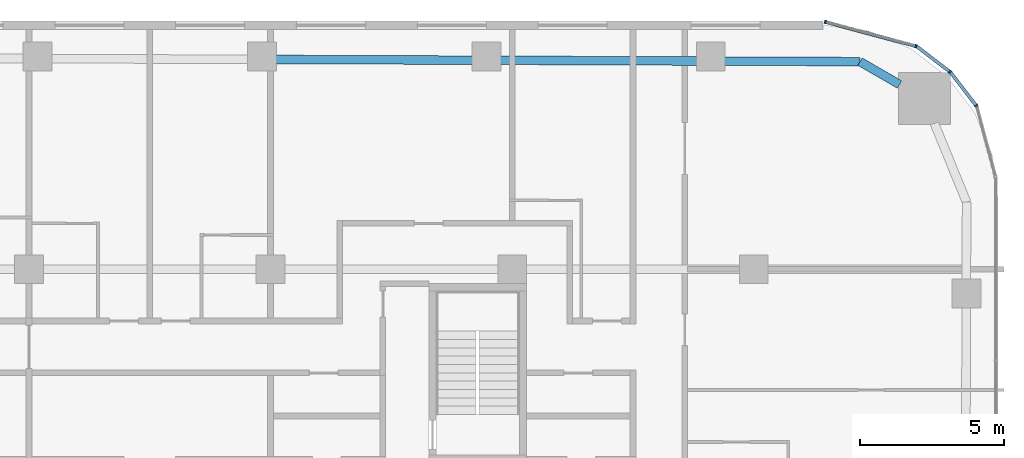
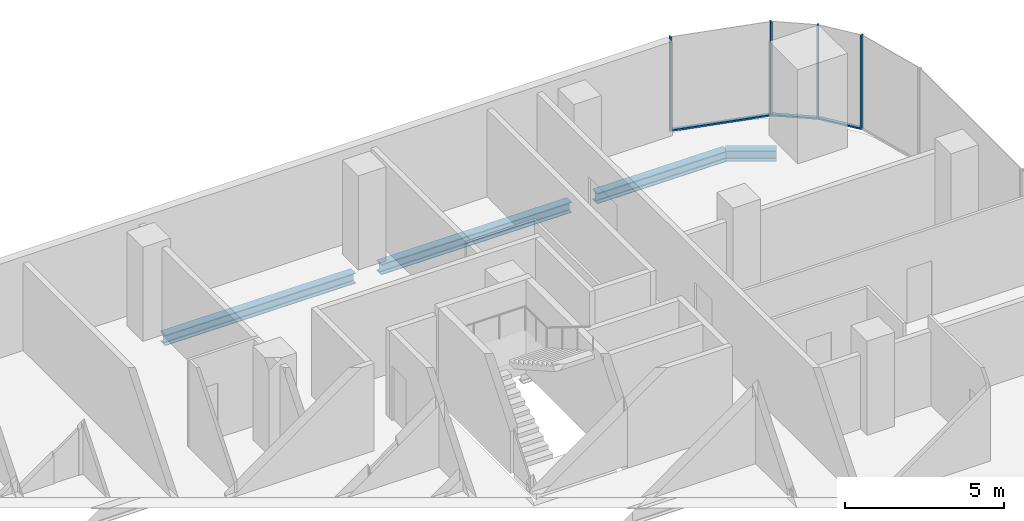
# One storey, part 13 of 26: 7 members, 4 beams, 3 elements without a shape of their own.
"""IFC4 building model written with IfcOpenShell, lengths in metres."""

from ifc_helpers import new_model, si_unit, direction, frame, origin, origin_2d, place, context, subcontext, project, spatial, rectangle, i_section, extrude, material, layer, layer_set, material_profile, profile_set, type_object, element, aggregate, save


model = new_model("IFC4")

# Units and contexts
model_context = context("Model", 3, precision=1e-05, world=origin(), true_north=direction((0.0, 1.0)))
body_context = subcontext(model_context, "Body", "Model", "MODEL_VIEW")
ifc_project = project(units=[si_unit("LENGTHUNIT", "METRE"), si_unit("AREAUNIT", "SQUARE_METRE"), si_unit("VOLUMEUNIT", "CUBIC_METRE"), si_unit("PLANEANGLEUNIT", "RADIAN"), si_unit("MASSUNIT", "GRAM", prefix="KILO")], contexts=[model_context])

# Site, building, storey
site_placement = place(None, origin())
site = spatial("IfcSite", under=ifc_project, at=site_placement, CompositionType="ELEMENT")
building_placement = place(site_placement, origin())
building = spatial("IfcBuilding", under=site, at=building_placement, Name="Marenta Gate Hotel Tower", CompositionType="ELEMENT")
storey_placement = place(building_placement, frame((0.0, 0.0, 72.5)))
storey = spatial("IfcBuildingStorey", under=building, at=storey_placement, Name="L16", CompositionType="ELEMENT", Elevation=72.5)

# Beams
ifc_material_1 = material(Name="Steel S355", Category="steel")
ifc_material_profile_1 = material_profile(ifc_material_1, i_section(OverallWidth=0.300048828125, OverallDepth=0.39990234375, WebThickness=0.013427734375, FlangeThickness=0.02392578125, FilletRadius=0.027099609375, at=origin_2d()), Name="HEB 400")
ifc_profile_set_1 = profile_set([ifc_material_profile_1], Name="Steel S355")
beam_type = type_object("IfcBeamType", Name="Edge beam HEB 400", PredefinedType="SPANDREL", material=ifc_profile_set_1)
for number, where, z_axis, x_axis, name in (
    (1, (4.361328125, 32.4970703125, -0.4599609375), (0.999993064268, -0.003724435008, 0.0), (0.003724435008, 0.999993064268, 0.0), "L16-EB-17"),
    (2, (12.1640625, 32.468017578125, -0.4599609375), (0.999993064268, -0.003724435008, 0.0), (0.003724435008, 0.999993064268, 0.0), "L16-EB-18"),
):
    element("IfcBeam", number, at=place(storey_placement, frame(where, z_axis=z_axis, x_axis=x_axis)), inside=storey, type_object=beam_type, Name=name, PredefinedType="SPANDREL", context=body_context, shape_type="SweptSolid", body=[
        extrude(i_section(OverallWidth=0.300048828125, OverallDepth=0.39990234375, WebThickness=0.013427734375, FlangeThickness=0.02392578125, FilletRadius=0.027099609375, at=origin_2d()), origin(), (0.0, 0.0, 1.0), 6.8828125),
    ])
beam_1_placement = place(storey_placement, frame((19.966796875, 32.43896484375, -0.4599609375), z_axis=(0.999993080272, -0.003720135464, 0.0), x_axis=(0.003720135464, 0.999993080272, 0.0)))
element("IfcBeam", 3, at=beam_1_placement, inside=storey, type_object=beam_type, Name="L16-EB-19", PredefinedType="SPANDREL", context=body_context, shape_type="SweptSolid", body=[
    extrude(i_section(OverallWidth=0.300048828125, OverallDepth=0.39990234375, WebThickness=0.013427734375, FlangeThickness=0.02392578125, FilletRadius=0.027099609375, at=origin_2d()), origin(), (0.0, 0.0, 1.0), 4.72509765625),
])
beam_2_placement = place(storey_placement, frame((24.69189453125, 32.42138671875, -0.4599609375), z_axis=(0.865968422476, -0.500098681536, 0.0), x_axis=(0.500098681536, 0.865968422476, 0.0)))
element("IfcBeam", 4, at=beam_2_placement, inside=storey, type_object=beam_type, Name="L16-EB-20", PredefinedType="SPANDREL", context=body_context, shape_type="SweptSolid", body=[
    extrude(i_section(OverallWidth=0.300048828125, OverallDepth=0.39990234375, WebThickness=0.013427734375, FlangeThickness=0.02392578125, FilletRadius=0.027099609375, at=origin_2d()), origin(), (0.0, 0.0, 1.0), 1.591552734375),
])

# Curtain wall, member
ifc_material_2 = material(Name="Tinted insulated glass in bronze anodised frame", Category="glass")
ifc_layer = layer(ifc_material_2, 0.1201171875)
ifc_layer_set = layer_set([ifc_layer], Name="Tinted insulated glass in bronze anodised frame")
curtain_wall_type = type_object("IfcCurtainWallType", Name="Tower unitised curtain wall CW1", PredefinedType="NOTDEFINED", material=ifc_layer_set)
curtain_wall_1_placement = place(storey_placement, origin())
curtain_wall_1 = element("IfcCurtainWall", 5, at=curtain_wall_1_placement, inside=storey, type_object=curtain_wall_type, Name="CW1 run G13", PredefinedType="NOTDEFINED")
ifc_material_3 = material(Name="Bronze anodised aluminium", Category="aluminium")
ifc_material_profile_2 = material_profile(ifc_material_3, rectangle(XDim=0.1201171875, YDim=0.06005859375, at=origin_2d()), Name="Mullion CW1 60x120 bronze anodised aluminium")
ifc_profile_set_2 = profile_set([ifc_material_profile_2], Name="Bronze anodised aluminium")
member_type_1 = type_object("IfcMemberType", Name="Mullion CW1 60x120 bronze anodised aluminium", PredefinedType="MULLION", material=ifc_profile_set_2)
member_1_placement = place(storey_placement, frame((28.733154296875, 30.888916015625, 0.0), z_axis=(0.0, 0.0, 1.0), x_axis=(-0.79333801153, -0.608781405318, 0.0)))
member_1 = element("IfcMember", 6, at=member_1_placement, type_object=member_type_1, Name="CW1 mullion 1", PredefinedType="MULLION", context=body_context, shape_type="SweptSolid", body=[
    extrude(rectangle(XDim=0.1201171875, YDim=0.06005859375, at=origin_2d()), origin(), (0.0, 0.0, 1.0), 3.60009765625),
])

curtain_wall_2_placement = place(storey_placement, origin())
curtain_wall_2 = element("IfcCurtainWall", 7, at=curtain_wall_2_placement, inside=storey, type_object=curtain_wall_type, Name="CW1 run G14", PredefinedType="NOTDEFINED")
member_2_placement = place(storey_placement, frame((27.82177734375, 32.063720703125, 0.0), z_axis=(0.0, 0.0, 1.0), x_axis=(-0.608781405318, -0.79333801153, 0.0)))
member_2 = element("IfcMember", 8, at=member_2_placement, type_object=member_type_1, Name="CW1 mullion 1", PredefinedType="MULLION", context=body_context, shape_type="SweptSolid", body=[
    extrude(rectangle(XDim=0.1201171875, YDim=0.06005859375, at=origin_2d()), origin(), (0.0, 0.0, 1.0), 3.60009765625),
])

# Curtain wall, members
curtain_wall_3_placement = place(storey_placement, origin())
curtain_wall_3 = element("IfcCurtainWall", 9, at=curtain_wall_3_placement, inside=storey, type_object=curtain_wall_type, Name="CW1 run G15", PredefinedType="NOTDEFINED")
member_3_placement = place(storey_placement, frame((26.63623046875, 32.958984375, 0.0), z_axis=(0.0, 0.0, 1.0), x_axis=(-0.258807310344, -0.965928970532, 0.0)))
member_3 = element("IfcMember", 10, at=member_3_placement, type_object=member_type_1, Name="CW1 mullion 1", PredefinedType="MULLION", context=body_context, shape_type="SweptSolid", body=[
    extrude(rectangle(XDim=0.1201171875, YDim=0.06005859375, at=origin_2d()), origin(), (0.0, 0.0, 1.0), 3.60009765625),
])
member_4_placement = place(storey_placement, frame((23.485595703125, 33.80322265625, 0.0), z_axis=(0.0, 0.0, 1.0), x_axis=(-0.258807310344, -0.965928970532, 0.0)))
member_4 = element("IfcMember", 11, at=member_4_placement, type_object=member_type_1, Name="CW1 mullion 2", PredefinedType="MULLION", context=body_context, shape_type="SweptSolid", body=[
    extrude(rectangle(XDim=0.1201171875, YDim=0.06005859375, at=origin_2d()), origin(), (0.0, 0.0, 1.0), 3.60009765625),
])

# Member
ifc_material_4 = material(Name="Bronze anodised aluminium", Category="aluminium")
ifc_material_profile_3 = material_profile(ifc_material_4, rectangle(XDim=0.1201171875, YDim=0.06005859375, at=origin_2d()), Name="Transom CW1 60x120 bronze anodised aluminium")
ifc_profile_set_3 = profile_set([ifc_material_profile_3], Name="Bronze anodised aluminium")
member_type_2 = type_object("IfcMemberType", Name="Transom CW1 60x120 bronze anodised aluminium", PredefinedType="USERDEFINED", material=ifc_profile_set_3)
member_5_placement = place(storey_placement, frame((28.71484375, 30.91259765625, 0.030029296875), z_axis=(-0.60882629199, 0.793303564963, 0.0), x_axis=(-0.793303564963, -0.60882629199, 0.0)))
member_5 = element("IfcMember", 12, at=member_5_placement, type_object=member_type_2, Name="CW1 transom 1.1", ObjectType="TRANSOM", PredefinedType="USERDEFINED", context=body_context, shape_type="SweptSolid", body=[
    extrude(rectangle(XDim=0.1201171875, YDim=0.06005859375, at=origin_2d()), origin(), (0.0, 0.0, 1.0), 1.427978515625),
])

aggregate(curtain_wall_1, [member_1, member_5])

member_6_placement = place(storey_placement, frame((27.7978515625, 32.08203125, 0.030029296875), z_axis=(-0.793303564963, 0.60882629199, 0.0), x_axis=(-0.60882629199, -0.793303564963, 0.0)))
member_6 = element("IfcMember", 13, at=member_6_placement, type_object=member_type_2, Name="CW1 transom 1.1", ObjectType="TRANSOM", PredefinedType="USERDEFINED", context=body_context, shape_type="SweptSolid", body=[
    extrude(rectangle(XDim=0.1201171875, YDim=0.06005859375, at=origin_2d()), origin(), (0.0, 0.0, 1.0), 1.427978515625),
])

aggregate(curtain_wall_2, [member_2, member_6])

member_7_placement = place(storey_placement, frame((26.607177734375, 32.966796875, 0.030029296875), z_axis=(-0.965933076693, 0.258791984709, 0.0), x_axis=(-0.258791984709, -0.965933076693, 0.0)))
member_7 = element("IfcMember", 14, at=member_7_placement, type_object=member_type_2, Name="CW1 transom 1.1", ObjectType="TRANSOM", PredefinedType="USERDEFINED", context=body_context, shape_type="SweptSolid", body=[
    extrude(rectangle(XDim=0.1201171875, YDim=0.06005859375, at=origin_2d()), origin(), (0.0, 0.0, 1.0), 3.201904296875),
])

aggregate(curtain_wall_3, [member_3, member_4, member_7])

save(model, "model.ifc")
